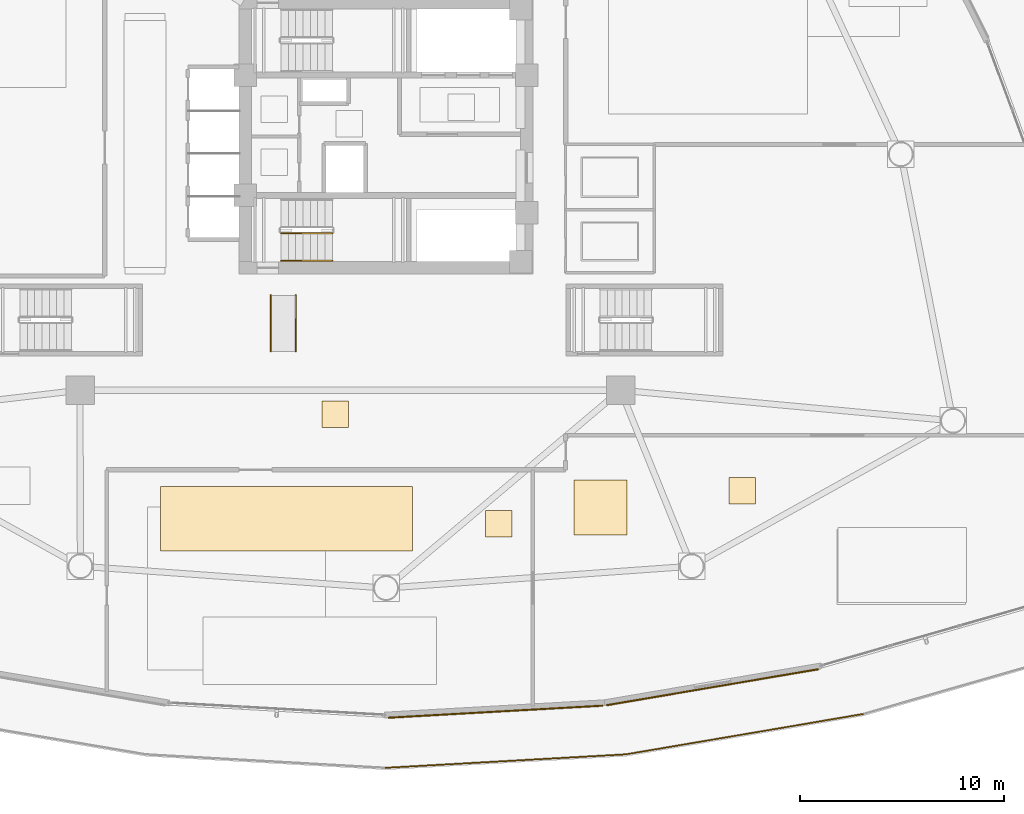
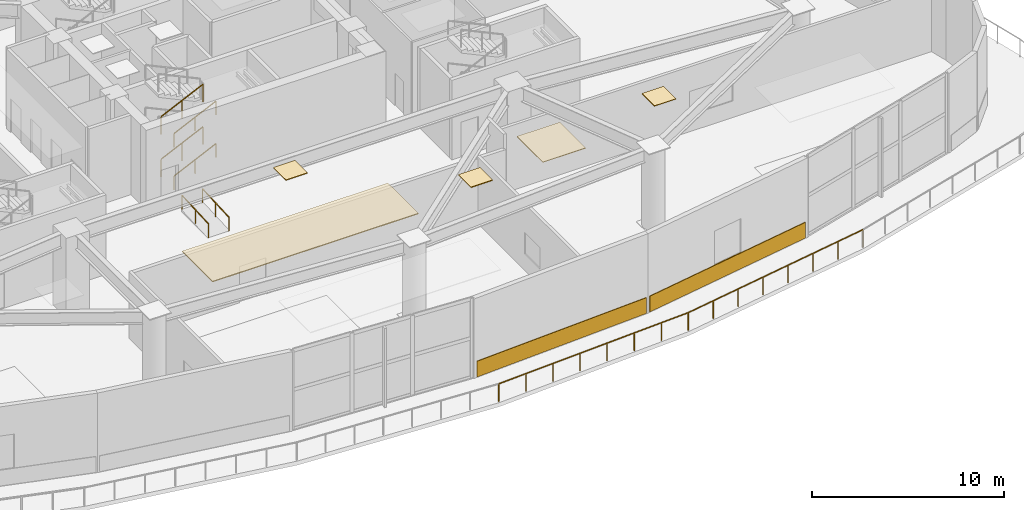
# One storey, part 19 of 25: 8 railings, 7 coverings.
"""IFC4 building model written with IfcOpenShell, lengths in metres."""

from ifc_helpers import new_model, si_unit, direction, frame, origin, origin_2d, place, context, subcontext, project, spatial, polyline, rectangle, outline, extrude, material, layer, layer_set, type_object, element, save


model = new_model("IFC4")

# Units and contexts
model_context = context("Model", 3, precision=1e-05, world=origin(), true_north=direction((0.0, 1.0)))
body_context = subcontext(model_context, "Body", "Model", "MODEL_VIEW")
ifc_project = project(units=[si_unit("LENGTHUNIT", "METRE"), si_unit("AREAUNIT", "SQUARE_METRE"), si_unit("VOLUMEUNIT", "CUBIC_METRE"), si_unit("PLANEANGLEUNIT", "RADIAN"), si_unit("MASSUNIT", "GRAM", prefix="KILO")], contexts=[model_context])

# Site, building, storey
site_placement = place(None, origin())
site = spatial("IfcSite", under=ifc_project, at=site_placement, CompositionType="ELEMENT")
building_placement = place(site_placement, origin())
building = spatial("IfcBuilding", under=site, at=building_placement, Name="Tavelor Broadcast Tower", CompositionType="ELEMENT")
storey_placement = place(building_placement, frame((0.0, 0.0, 11.39990234375)))
storey = spatial("IfcBuildingStorey", under=building, at=storey_placement, Name="L02", CompositionType="ELEMENT", Elevation=11.39990234375)

# Covering
ifc_material_1 = material(Name="Copper-Bronze Anodized Aluminium", Category="aluminium")
ifc_layer_1 = layer(ifc_material_1, 0.044921875)
ifc_layer_set_1 = layer_set([ifc_layer_1], Name="Copper-Bronze Anodized Aluminium")
covering_type_1 = type_object("IfcCoveringType", Name="Anodised Bronze Linear Slatted Concourse Ceiling 45 mm", PredefinedType="CEILING", material=ifc_layer_set_1)
covering_1_placement = place(storey_placement, frame((0.0, 0.0, 5.005126953125)))
element("IfcCovering", 1, at=covering_1_placement, inside=storey, type_object=covering_type_1, Name="L02 Suspended Acoustic Ceiling 0060", PredefinedType="CEILING", context=body_context, shape_type="SweptSolid", body=[
    extrude(outline(polyline([(46.85009765625, 30.683837890625), (48.14990234375, 30.683837890625), (48.14990234375, 31.98388671875), (46.85009765625, 31.98388671875), (46.85009765625, 30.683837890625)])), origin(), (0.0, 0.0, 1.0), 0.044921875),
])

# Railings
ifc_material_2 = material(Name="Steel S355", Category="steel")
railing_type_1 = type_object("IfcRailingType", Name="Continuous Brushed Stainless Handrail 900 mm", PredefinedType="HANDRAIL", material=ifc_material_2)
for number, where, name in (
    (2, (44.85009765625, 38.85009765625, 0.1689453125), "L02 ST2 stair handrail 1"),
    (3, (44.85009765625, 38.85009765625, 2.868896484375), "L02 ST2 stair handrail 3"),
):
    element("IfcRailing", number, at=place(storey_placement, frame(where)), inside=storey, type_object=railing_type_1, Name=name, PredefinedType="HANDRAIL", context=body_context, shape_type="SweptSolid", body=[
        extrude(rectangle(XDim=0.048095703125, YDim=0.048095703125, at=origin_2d()), frame((0.0, 0.0, 0.8759765625), z_axis=(0.905473684625, 0.0, 0.424402410988), x_axis=(0.0, 1.0, 0.0)), (0.0, 0.0, 1.0), 2.783203125),
        extrude(rectangle(XDim=0.0419921875, YDim=0.0419921875, at=origin_2d()), origin(), (0.0, 0.0, 1.0), 0.851806640625),
        extrude(rectangle(XDim=0.0419921875, YDim=0.0419921875, at=origin_2d()), frame((1.260009765625, 0.0, 0.590576171875)), (0.0, 0.0, 1.0), 0.851806640625),
        extrude(rectangle(XDim=0.0419921875, YDim=0.0419921875, at=origin_2d()), frame((2.52001953125, 0.0, 1.18115234375)), (0.0, 0.0, 1.0), 0.851806640625),
    ])
for number, where, name in (
    (4, (44.35009765625, 34.39990234375, 0.0), "L02 Accessible Ramp Left Handrail"),
    (5, (45.570068359375, 34.39990234375, 0.0), "L02 Accessible Ramp Right Handrail"),
):
    element("IfcRailing", number, at=place(storey_placement, frame(where)), inside=storey, type_object=railing_type_1, Name=name, PredefinedType="HANDRAIL", context=body_context, shape_type="SweptSolid", body=[
        extrude(rectangle(XDim=0.048095703125, YDim=0.048095703125, at=origin_2d()), frame((0.0, 0.0, 0.8759765625), z_axis=(0.0, 0.998704123308, 0.050892770488), x_axis=(-1.0, 0.0, 0.0)), (0.0, 0.0, 1.0), 2.753662109375),
        extrude(rectangle(XDim=0.0419921875, YDim=0.0419921875, at=origin_2d()), origin(), (0.0, 0.0, 1.0), 0.851806640625),
        extrude(rectangle(XDim=0.0419921875, YDim=0.0419921875, at=origin_2d()), frame((0.0, 1.375, 0.070068359375)), (0.0, 0.0, 1.0), 0.851806640625),
        extrude(rectangle(XDim=0.0419921875, YDim=0.0419921875, at=origin_2d()), frame((0.0, 2.75, 0.14013671875)), (0.0, 0.0, 1.0), 0.851806640625),
    ])

# Coverings
ifc_material_3 = material(Name="Acoustic Perforated Timber Baffle", Category="wood")
ifc_layer_2 = layer(ifc_material_3, 0.054931640625)
ifc_layer_set_2 = layer_set([ifc_layer_2], Name="Acoustic Perforated Timber Baffle")
covering_type_2 = type_object("IfcCoveringType", Name="Micro-Perforated Acoustic Baffle Studio Ceiling 55 mm", PredefinedType="CEILING", material=ifc_layer_set_2)
covering_2_placement = place(storey_placement, frame((0.0, 0.0, 4.9951171875)))
element("IfcCovering", 6, at=covering_2_placement, inside=storey, type_object=covering_type_2, Name="L02 Suspended Acoustic Ceiling 0062", PredefinedType="CEILING", context=body_context, shape_type="SweptSolid", body=[
    extrude(outline(polyline([(38.945556640625, 24.618408203125), (51.30712890625, 24.618408203125), (51.30712890625, 27.791015625), (38.945556640625, 27.791015625), (38.945556640625, 24.618408203125)])), origin(), (0.0, 0.0, 1.0), 0.054931640625),
])
covering_3_placement = place(storey_placement, frame((0.0, 0.0, 4.9951171875)))
element("IfcCovering", 7, at=covering_3_placement, inside=storey, type_object=covering_type_2, Name="L02 Suspended Acoustic Ceiling 0063", PredefinedType="CEILING", context=body_context, shape_type="SweptSolid", body=[
    extrude(outline(polyline([(54.864990234375, 25.309814453125), (56.1650390625, 25.309814453125), (56.1650390625, 26.60986328125), (54.864990234375, 26.60986328125), (54.864990234375, 25.309814453125)])), origin(), (0.0, 0.0, 1.0), 0.054931640625),
])

# Railings
railing_type_2 = type_object("IfcRailingType", Name="Planted Terrace Laminated Glass Balustrade 1150 mm", PredefinedType="BALUSTRADE", material=ifc_material_2)
railing_1_placement = place(storey_placement, frame((49.994384765625, 13.9873046875, 0.0)))
element("IfcRailing", 8, at=railing_1_placement, inside=storey, type_object=railing_type_2, Name="L02 Cascading Garden Terrace 1 Balustrade #51", PredefinedType="BALUSTRADE", context=body_context, shape_type="SweptSolid", body=[
    extrude(rectangle(XDim=0.048095703125, YDim=0.048095703125, at=origin_2d()), frame((0.0, 0.0, 1.1259765625), z_axis=(0.998425186206, 0.0560994434, 0.0), x_axis=(-0.0560994434, 0.998425186206, 0.0)), (0.0, 0.0, 1.0), 11.793701171875),
    extrude(rectangle(XDim=0.0419921875, YDim=0.0419921875, at=origin_2d()), origin(), (0.0, 0.0, 1.0), 1.101806640625),
    extrude(rectangle(XDim=0.0419921875, YDim=0.0419921875, at=origin_2d()), frame((1.68212890625, 0.094482421875, 0.0)), (0.0, 0.0, 1.0), 1.101806640625),
    extrude(rectangle(XDim=0.0419921875, YDim=0.0419921875, at=origin_2d()), frame((3.3642578125, 0.18896484375, 0.0)), (0.0, 0.0, 1.0), 1.101806640625),
    extrude(rectangle(XDim=0.0419921875, YDim=0.0419921875, at=origin_2d()), frame((5.04638671875, 0.283447265625, 0.0)), (0.0, 0.0, 1.0), 1.101806640625),
    extrude(rectangle(XDim=0.0419921875, YDim=0.0419921875, at=origin_2d()), frame((6.728759765625, 0.378173828125, 0.0)), (0.0, 0.0, 1.0), 1.101806640625),
    extrude(rectangle(XDim=0.0419921875, YDim=0.0419921875, at=origin_2d()), frame((8.410888671875, 0.47265625, 0.0)), (0.0, 0.0, 1.0), 1.101806640625),
    extrude(rectangle(XDim=0.0419921875, YDim=0.0419921875, at=origin_2d()), frame((10.093017578125, 0.567138671875, 0.0)), (0.0, 0.0, 1.0), 1.101806640625),
    extrude(rectangle(XDim=0.0419921875, YDim=0.0419921875, at=origin_2d()), frame((11.775146484375, 0.66162109375, 0.0)), (0.0, 0.0, 1.0), 1.101806640625),
])
railing_2_placement = place(storey_placement, frame((61.75830078125, 14.647705078125, 0.0)))
element("IfcRailing", 9, at=railing_2_placement, inside=storey, type_object=railing_type_2, Name="L02 Cascading Garden Terrace 1 Balustrade #52", PredefinedType="BALUSTRADE", context=body_context, shape_type="SweptSolid", body=[
    extrude(rectangle(XDim=0.048095703125, YDim=0.048095703125, at=origin_2d()), frame((0.0, 0.0, 1.1259765625), z_axis=(0.985856701713, 0.16759046419, 0.0), x_axis=(-0.16759046419, 0.985856701713, 0.0)), (0.0, 0.0, 1.0), 11.7939453125),
    extrude(rectangle(XDim=0.0419921875, YDim=0.0419921875, at=origin_2d()), origin(), (0.0, 0.0, 1.0), 1.101806640625),
    extrude(rectangle(XDim=0.0419921875, YDim=0.0419921875, at=origin_2d()), frame((1.6611328125, 0.282470703125, 0.0)), (0.0, 0.0, 1.0), 1.101806640625),
    extrude(rectangle(XDim=0.0419921875, YDim=0.0419921875, at=origin_2d()), frame((3.322021484375, 0.564697265625, 0.0)), (0.0, 0.0, 1.0), 1.101806640625),
    extrude(rectangle(XDim=0.0419921875, YDim=0.0419921875, at=origin_2d()), frame((4.983154296875, 0.84716796875, 0.0)), (0.0, 0.0, 1.0), 1.101806640625),
    extrude(rectangle(XDim=0.0419921875, YDim=0.0419921875, at=origin_2d()), frame((6.64404296875, 1.12939453125, 0.0)), (0.0, 0.0, 1.0), 1.101806640625),
    extrude(rectangle(XDim=0.0419921875, YDim=0.0419921875, at=origin_2d()), frame((8.30517578125, 1.411865234375, 0.0)), (0.0, 0.0, 1.0), 1.101806640625),
    extrude(rectangle(XDim=0.0419921875, YDim=0.0419921875, at=origin_2d()), frame((9.966064453125, 1.694091796875, 0.0)), (0.0, 0.0, 1.0), 1.101806640625),
    extrude(rectangle(XDim=0.0419921875, YDim=0.0419921875, at=origin_2d()), frame((11.627197265625, 1.9765625, 0.0)), (0.0, 0.0, 1.0), 1.101806640625),
])

# Coverings
ifc_material_4 = material(Name="Kiln-Fired Glazed Terracotta", Category="masonry")
ifc_layer_3 = layer(ifc_material_4, 0.06494140625)
ifc_layer_set_3 = layer_set([ifc_layer_3], Name="Kiln-Fired Glazed Terracotta")
covering_type_3 = type_object("IfcCoveringType", Name="Ribbed Terracotta Rainscreen Spandrel Cladding 65 mm", PredefinedType="CLADDING", material=ifc_layer_set_3)
for number, where, z_axis, x_axis, name in (
    (10, (55.358154296875, 16.73974609375, 0.050048828125), (0.0, 0.0, 1.0), (0.998421217973, 0.05617002316, 0.0), "L02 Terracotta Spandrel Rainscreen 18"),
    (11, (66.0068359375, 17.940185546875, 0.050048828125), (0.0, 0.0, 1.0), (0.985850128464, 0.167629126969, 0.0), "L02 Terracotta Spandrel Rainscreen 19"),
):
    element("IfcCovering", number, at=place(storey_placement, frame(where, z_axis=z_axis, x_axis=x_axis)), inside=storey, type_object=covering_type_3, Name=name, PredefinedType="CLADDING", context=body_context, shape_type="SweptSolid", body=[
        extrude(rectangle(XDim=10.533203125, YDim=0.06494140625, at=origin_2d()), origin(), (0.0, 0.0, 1.0), 1.0),
    ])

# Railings
railing_type_3 = type_object("IfcRailingType", Name="Stairwell Steel Safety Guardrail 1150 mm", PredefinedType="GUARDRAIL", material=ifc_material_2)
for number, where, name in (
    (12, (44.85009765625, 40.199951171875, 0.1689453125), "L02 ST2 stair guard 1"),
    (13, (44.85009765625, 40.199951171875, 2.868896484375), "L02 ST2 stair guard 5"),
):
    element("IfcRailing", number, at=place(storey_placement, frame(where)), inside=storey, type_object=railing_type_3, Name=name, PredefinedType="GUARDRAIL", context=body_context, shape_type="SweptSolid", body=[
        extrude(rectangle(XDim=0.048095703125, YDim=0.048095703125, at=origin_2d()), frame((0.0, 0.0, 1.1259765625), z_axis=(0.905473684625, 0.0, 0.424402410988), x_axis=(0.0, 1.0, 0.0)), (0.0, 0.0, 1.0), 2.783203125),
        extrude(rectangle(XDim=0.0419921875, YDim=0.0419921875, at=origin_2d()), origin(), (0.0, 0.0, 1.0), 1.101806640625),
        extrude(rectangle(XDim=0.0419921875, YDim=0.0419921875, at=origin_2d()), frame((1.260009765625, 0.0, 0.590576171875)), (0.0, 0.0, 1.0), 1.101806640625),
        extrude(rectangle(XDim=0.0419921875, YDim=0.0419921875, at=origin_2d()), frame((2.52001953125, 0.0, 1.18115234375)), (0.0, 0.0, 1.0), 1.101806640625),
    ])

# Coverings
ifc_material_5 = material(Name="Acoustic Mineral Fibre Tile")
ifc_layer_4 = layer(ifc_material_5, 0.0400390625)
ifc_layer_set_4 = layer_set([ifc_layer_4], Name="Acoustic Mineral Fibre Tile")
covering_type_4 = type_object("IfcCoveringType", Name="Suspended Acoustic Mineral-Fibre Office Ceiling 40 mm", PredefinedType="CEILING", material=ifc_layer_set_4)
covering_4_placement = place(storey_placement, frame((0.0, 0.0, 5.010009765625)))
element("IfcCovering", 14, at=covering_4_placement, inside=storey, type_object=covering_type_4, Name="L02 Suspended Acoustic Ceiling 0068", PredefinedType="CEILING", context=body_context, shape_type="SweptSolid", body=[
    extrude(outline(polyline([(59.227294921875, 25.402587890625), (61.8125, 25.402587890625), (61.8125, 28.096923828125), (59.227294921875, 28.096923828125), (59.227294921875, 25.402587890625)])), origin(), (0.0, 0.0, 1.0), 0.0400390625),
])
covering_5_placement = place(storey_placement, frame((0.0, 0.0, 5.010009765625)))
element("IfcCovering", 15, at=covering_5_placement, inside=storey, type_object=covering_type_4, Name="L02 Suspended Acoustic Ceiling 0069", PredefinedType="CEILING", context=body_context, shape_type="SweptSolid", body=[
    extrude(outline(polyline([(66.80810546875, 26.914794921875), (68.10791015625, 26.914794921875), (68.10791015625, 28.21484375), (66.80810546875, 28.21484375), (66.80810546875, 26.914794921875)])), origin(), (0.0, 0.0, 1.0), 0.0400390625),
])

save(model, "model.ifc")
